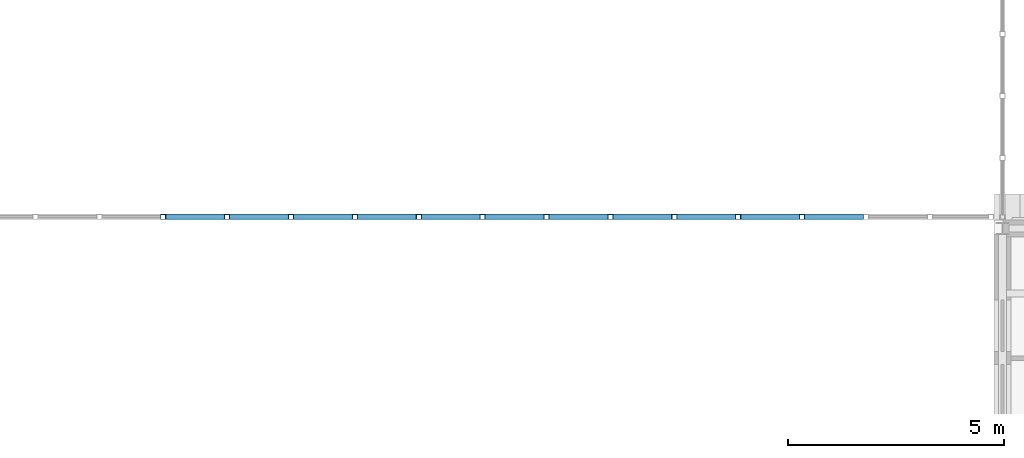
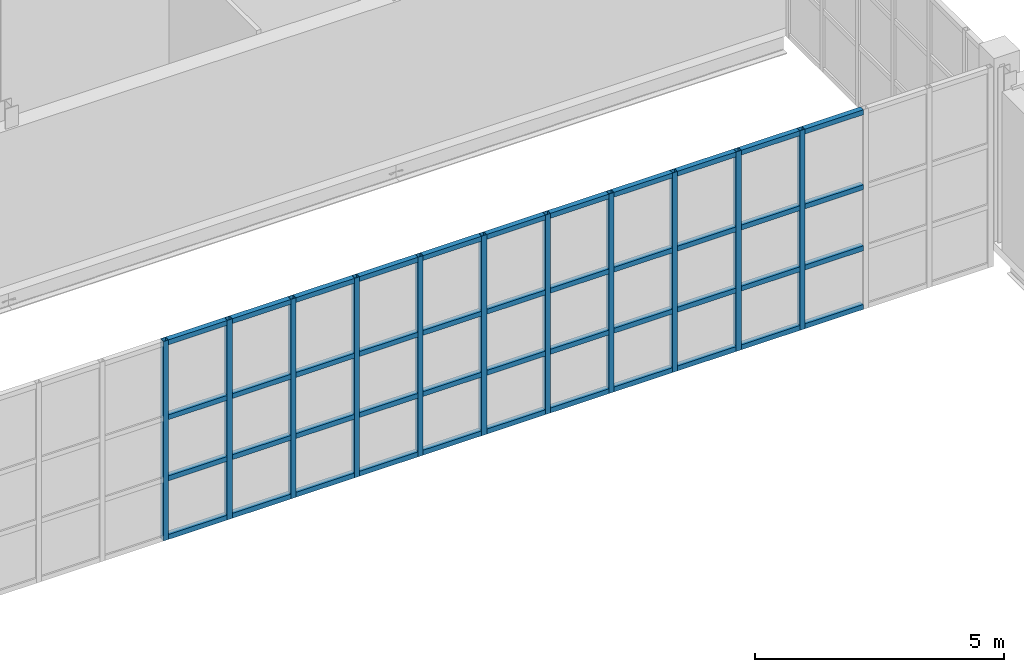
# One storey, part 44 of 134: 55 members, 1 element without a shape of its own.
"""IFC4 building model written with IfcOpenShell, lengths in metres."""

from ifc_helpers import new_model, si_unit, direction, frame, origin, origin_2d, place, context, subcontext, project, spatial, hollow_rectangle, extrude, material, material_profile, profile_set, type_object, element, aggregate, save


model = new_model("IFC4")

# Units and contexts
model_context = context("Model", 3, precision=1e-05, world=origin(), true_north=direction((0.0, 1.0)))
body_context = subcontext(model_context, "Body", "Model", "MODEL_VIEW")
ifc_project = project(units=[si_unit("LENGTHUNIT", "METRE"), si_unit("AREAUNIT", "SQUARE_METRE"), si_unit("VOLUMEUNIT", "CUBIC_METRE"), si_unit("PLANEANGLEUNIT", "RADIAN"), si_unit("MASSUNIT", "GRAM", prefix="KILO")], contexts=[model_context])

# Site, building, storey
site_placement = place(None, origin())
site = spatial("IfcSite", under=ifc_project, at=site_placement, CompositionType="ELEMENT")
building_placement = place(site_placement, origin())
building = spatial("IfcBuilding", under=site, at=building_placement, Name="Golden Quay Civic Hall", CompositionType="ELEMENT")
storey_placement = place(building_placement, frame((0.0, 0.0, 5.39990234375)))
storey = spatial("IfcBuildingStorey", under=building, at=storey_placement, Name="L01", CompositionType="ELEMENT", Elevation=5.39990234375)

# Curtain wall, members
ifc_material_1 = material(Name="Fire-resisting glass and steel", Category="steel")
curtain_wall_type = type_object("IfcCurtainWallType", Name="Fire-resisting glazed curtain wall EI 120", PredefinedType="NOTDEFINED", material=ifc_material_1)
curtain_wall_placement = place(storey_placement, origin())
curtain_wall = element("IfcCurtainWall", 1, at=curtain_wall_placement, inside=storey, type_object=curtain_wall_type, Name="CW3 curtain wall", PredefinedType="NOTDEFINED")
ifc_material_2 = material(Name="Steel S355", Category="steel")
ifc_material_profile_1 = material_profile(ifc_material_2, hollow_rectangle(XDim=0.1201171875, YDim=0.1201171875, WallThickness=0.008056640625, at=origin_2d()), Name="SHS 120x120x8")
ifc_profile_set_1 = profile_set([ifc_material_profile_1], Name="Steel S355")
member_type_1 = type_object("IfcMemberType", Name="Fire-resisting steel mullion SHS 120x120x8", PredefinedType="MULLION", material=ifc_profile_set_1)
member_1_placement = place(storey_placement, frame((79.5888671875, 54.27001953125, -0.599853515625), z_axis=(0.0, 0.0, 1.0), x_axis=(0.0, 1.0, 0.0)))
member_1 = element("IfcMember", 2, at=member_1_placement, type_object=member_type_1, Name="CW3 mullion 6", PredefinedType="MULLION", context=body_context, shape_type="SweptSolid", body=[
    extrude(hollow_rectangle(XDim=0.1201171875, YDim=0.1201171875, WallThickness=0.008056640625, at=origin_2d()), origin(), (0.0, 0.0, 1.0), 4.89990234375),
])
member_2_placement = place(storey_placement, frame((81.066650390625, 54.27001953125, -0.599853515625), z_axis=(0.0, 0.0, 1.0), x_axis=(0.0, 1.0, 0.0)))
member_2 = element("IfcMember", 3, at=member_2_placement, type_object=member_type_1, Name="CW3 mullion 7", PredefinedType="MULLION", context=body_context, shape_type="SweptSolid", body=[
    extrude(hollow_rectangle(XDim=0.1201171875, YDim=0.1201171875, WallThickness=0.008056640625, at=origin_2d()), origin(), (0.0, 0.0, 1.0), 4.89990234375),
])
member_3_placement = place(storey_placement, frame((82.54443359375, 54.27001953125, -0.599853515625), z_axis=(0.0, 0.0, 1.0), x_axis=(0.0, 1.0, 0.0)))
member_3 = element("IfcMember", 4, at=member_3_placement, type_object=member_type_1, Name="CW3 mullion 8", PredefinedType="MULLION", context=body_context, shape_type="SweptSolid", body=[
    extrude(hollow_rectangle(XDim=0.1201171875, YDim=0.1201171875, WallThickness=0.008056640625, at=origin_2d()), origin(), (0.0, 0.0, 1.0), 4.89990234375),
])
member_4_placement = place(storey_placement, frame((84.022216796875, 54.27001953125, -0.599853515625), z_axis=(0.0, 0.0, 1.0), x_axis=(0.0, 1.0, 0.0)))
member_4 = element("IfcMember", 5, at=member_4_placement, type_object=member_type_1, Name="CW3 mullion 9", PredefinedType="MULLION", context=body_context, shape_type="SweptSolid", body=[
    extrude(hollow_rectangle(XDim=0.1201171875, YDim=0.1201171875, WallThickness=0.008056640625, at=origin_2d()), origin(), (0.0, 0.0, 1.0), 4.89990234375),
])
member_5_placement = place(storey_placement, frame((85.5, 54.27001953125, -0.599853515625), z_axis=(0.0, 0.0, 1.0), x_axis=(0.0, 1.0, 0.0)))
member_5 = element("IfcMember", 6, at=member_5_placement, type_object=member_type_1, Name="CW3 mullion 10", PredefinedType="MULLION", context=body_context, shape_type="SweptSolid", body=[
    extrude(hollow_rectangle(XDim=0.1201171875, YDim=0.1201171875, WallThickness=0.008056640625, at=origin_2d()), origin(), (0.0, 0.0, 1.0), 4.89990234375),
])
member_6_placement = place(storey_placement, frame((86.977783203125, 54.27001953125, -0.599853515625), z_axis=(0.0, 0.0, 1.0), x_axis=(0.0, 1.0, 0.0)))
member_6 = element("IfcMember", 7, at=member_6_placement, type_object=member_type_1, Name="CW3 mullion 11", PredefinedType="MULLION", context=body_context, shape_type="SweptSolid", body=[
    extrude(hollow_rectangle(XDim=0.1201171875, YDim=0.1201171875, WallThickness=0.008056640625, at=origin_2d()), origin(), (0.0, 0.0, 1.0), 4.89990234375),
])
member_7_placement = place(storey_placement, frame((88.45556640625, 54.27001953125, -0.599853515625), z_axis=(0.0, 0.0, 1.0), x_axis=(0.0, 1.0, 0.0)))
member_7 = element("IfcMember", 8, at=member_7_placement, type_object=member_type_1, Name="CW3 mullion 12", PredefinedType="MULLION", context=body_context, shape_type="SweptSolid", body=[
    extrude(hollow_rectangle(XDim=0.1201171875, YDim=0.1201171875, WallThickness=0.008056640625, at=origin_2d()), origin(), (0.0, 0.0, 1.0), 4.89990234375),
])
member_8_placement = place(storey_placement, frame((89.933349609375, 54.27001953125, -0.599853515625), z_axis=(0.0, 0.0, 1.0), x_axis=(0.0, 1.0, 0.0)))
member_8 = element("IfcMember", 9, at=member_8_placement, type_object=member_type_1, Name="CW3 mullion 13", PredefinedType="MULLION", context=body_context, shape_type="SweptSolid", body=[
    extrude(hollow_rectangle(XDim=0.1201171875, YDim=0.1201171875, WallThickness=0.008056640625, at=origin_2d()), origin(), (0.0, 0.0, 1.0), 4.89990234375),
])
member_9_placement = place(storey_placement, frame((91.4111328125, 54.27001953125, -0.599853515625), z_axis=(0.0, 0.0, 1.0), x_axis=(0.0, 1.0, 0.0)))
member_9 = element("IfcMember", 10, at=member_9_placement, type_object=member_type_1, Name="CW3 mullion 14", PredefinedType="MULLION", context=body_context, shape_type="SweptSolid", body=[
    extrude(hollow_rectangle(XDim=0.1201171875, YDim=0.1201171875, WallThickness=0.008056640625, at=origin_2d()), origin(), (0.0, 0.0, 1.0), 4.89990234375),
])
member_10_placement = place(storey_placement, frame((92.888916015625, 54.27001953125, -0.599853515625), z_axis=(0.0, 0.0, 1.0), x_axis=(0.0, 1.0, 0.0)))
member_10 = element("IfcMember", 11, at=member_10_placement, type_object=member_type_1, Name="CW3 mullion 15", PredefinedType="MULLION", context=body_context, shape_type="SweptSolid", body=[
    extrude(hollow_rectangle(XDim=0.1201171875, YDim=0.1201171875, WallThickness=0.008056640625, at=origin_2d()), origin(), (0.0, 0.0, 1.0), 4.89990234375),
])
member_11_placement = place(storey_placement, frame((94.36669921875, 54.27001953125, -0.599853515625), z_axis=(0.0, 0.0, 1.0), x_axis=(0.0, 1.0, 0.0)))
member_11 = element("IfcMember", 12, at=member_11_placement, type_object=member_type_1, Name="CW3 mullion 16", PredefinedType="MULLION", context=body_context, shape_type="SweptSolid", body=[
    extrude(hollow_rectangle(XDim=0.1201171875, YDim=0.1201171875, WallThickness=0.008056640625, at=origin_2d()), origin(), (0.0, 0.0, 1.0), 4.89990234375),
])
ifc_material_3 = material(Name="Steel S355", Category="steel")
ifc_material_profile_2 = material_profile(ifc_material_3, hollow_rectangle(XDim=0.1201171875, YDim=0.1201171875, WallThickness=0.008056640625, at=origin_2d()), Name="SHS 120x120x8")
ifc_profile_set_2 = profile_set([ifc_material_profile_2], Name="Steel S355")
member_type_2 = type_object("IfcMemberType", Name="Fire-resisting steel transom SHS 120x120x8", PredefinedType="USERDEFINED", material=ifc_profile_set_2)
member_12_placement = place(storey_placement, frame((79.64892578125, 54.27001953125, -0.539794921875), z_axis=(1.0, 0.0, 0.0), x_axis=(0.0, 1.0, 0.0)))
member_12 = element("IfcMember", 13, at=member_12_placement, type_object=member_type_2, Name="CW3 transom 6.1", ObjectType="TRANSOM", PredefinedType="USERDEFINED", context=body_context, shape_type="SweptSolid", body=[
    extrude(hollow_rectangle(XDim=0.1201171875, YDim=0.1201171875, WallThickness=0.008056640625, at=origin_2d()), origin(), (0.0, 0.0, 1.0), 1.357666015625),
])
member_13_placement = place(storey_placement, frame((79.64892578125, 54.27001953125, 0.900146484375), z_axis=(1.0, 0.0, 0.0), x_axis=(0.0, 1.0, 0.0)))
member_13 = element("IfcMember", 14, at=member_13_placement, type_object=member_type_2, Name="CW3 transom 6.2", ObjectType="TRANSOM", PredefinedType="USERDEFINED", context=body_context, shape_type="SweptSolid", body=[
    extrude(hollow_rectangle(XDim=0.1201171875, YDim=0.1201171875, WallThickness=0.008056640625, at=origin_2d()), origin(), (0.0, 0.0, 1.0), 1.357666015625),
])
member_14_placement = place(storey_placement, frame((79.64892578125, 54.27001953125, 2.400146484375), z_axis=(1.0, 0.0, 0.0), x_axis=(0.0, 1.0, 0.0)))
member_14 = element("IfcMember", 15, at=member_14_placement, type_object=member_type_2, Name="CW3 transom 6.3", ObjectType="TRANSOM", PredefinedType="USERDEFINED", context=body_context, shape_type="SweptSolid", body=[
    extrude(hollow_rectangle(XDim=0.1201171875, YDim=0.1201171875, WallThickness=0.008056640625, at=origin_2d()), origin(), (0.0, 0.0, 1.0), 1.357666015625),
])
member_15_placement = place(storey_placement, frame((79.64892578125, 54.27001953125, 4.239990234375), z_axis=(1.0, 0.0, 0.0), x_axis=(0.0, 1.0, 0.0)))
member_15 = element("IfcMember", 16, at=member_15_placement, type_object=member_type_2, Name="CW3 transom 6.4", ObjectType="TRANSOM", PredefinedType="USERDEFINED", context=body_context, shape_type="SweptSolid", body=[
    extrude(hollow_rectangle(XDim=0.1201171875, YDim=0.1201171875, WallThickness=0.008056640625, at=origin_2d()), origin(), (0.0, 0.0, 1.0), 1.357666015625),
])
member_16_placement = place(storey_placement, frame((81.126708984375, 54.27001953125, -0.539794921875), z_axis=(1.0, 0.0, 0.0), x_axis=(0.0, 1.0, 0.0)))
member_16 = element("IfcMember", 17, at=member_16_placement, type_object=member_type_2, Name="CW3 transom 7.1", ObjectType="TRANSOM", PredefinedType="USERDEFINED", context=body_context, shape_type="SweptSolid", body=[
    extrude(hollow_rectangle(XDim=0.1201171875, YDim=0.1201171875, WallThickness=0.008056640625, at=origin_2d()), origin(), (0.0, 0.0, 1.0), 1.357666015625),
])
member_17_placement = place(storey_placement, frame((81.126708984375, 54.27001953125, 0.900146484375), z_axis=(1.0, 0.0, 0.0), x_axis=(0.0, 1.0, 0.0)))
member_17 = element("IfcMember", 18, at=member_17_placement, type_object=member_type_2, Name="CW3 transom 7.2", ObjectType="TRANSOM", PredefinedType="USERDEFINED", context=body_context, shape_type="SweptSolid", body=[
    extrude(hollow_rectangle(XDim=0.1201171875, YDim=0.1201171875, WallThickness=0.008056640625, at=origin_2d()), origin(), (0.0, 0.0, 1.0), 1.357666015625),
])
member_18_placement = place(storey_placement, frame((81.126708984375, 54.27001953125, 2.400146484375), z_axis=(1.0, 0.0, 0.0), x_axis=(0.0, 1.0, 0.0)))
member_18 = element("IfcMember", 19, at=member_18_placement, type_object=member_type_2, Name="CW3 transom 7.3", ObjectType="TRANSOM", PredefinedType="USERDEFINED", context=body_context, shape_type="SweptSolid", body=[
    extrude(hollow_rectangle(XDim=0.1201171875, YDim=0.1201171875, WallThickness=0.008056640625, at=origin_2d()), origin(), (0.0, 0.0, 1.0), 1.357666015625),
])
member_19_placement = place(storey_placement, frame((81.126708984375, 54.27001953125, 4.239990234375), z_axis=(1.0, 0.0, 0.0), x_axis=(0.0, 1.0, 0.0)))
member_19 = element("IfcMember", 20, at=member_19_placement, type_object=member_type_2, Name="CW3 transom 7.4", ObjectType="TRANSOM", PredefinedType="USERDEFINED", context=body_context, shape_type="SweptSolid", body=[
    extrude(hollow_rectangle(XDim=0.1201171875, YDim=0.1201171875, WallThickness=0.008056640625, at=origin_2d()), origin(), (0.0, 0.0, 1.0), 1.357666015625),
])
member_20_placement = place(storey_placement, frame((82.6044921875, 54.27001953125, -0.539794921875), z_axis=(1.0, 0.0, 0.0), x_axis=(0.0, 1.0, 0.0)))
member_20 = element("IfcMember", 21, at=member_20_placement, type_object=member_type_2, Name="CW3 transom 8.1", ObjectType="TRANSOM", PredefinedType="USERDEFINED", context=body_context, shape_type="SweptSolid", body=[
    extrude(hollow_rectangle(XDim=0.1201171875, YDim=0.1201171875, WallThickness=0.008056640625, at=origin_2d()), origin(), (0.0, 0.0, 1.0), 1.357666015625),
])
member_21_placement = place(storey_placement, frame((82.6044921875, 54.27001953125, 0.900146484375), z_axis=(1.0, 0.0, 0.0), x_axis=(0.0, 1.0, 0.0)))
member_21 = element("IfcMember", 22, at=member_21_placement, type_object=member_type_2, Name="CW3 transom 8.2", ObjectType="TRANSOM", PredefinedType="USERDEFINED", context=body_context, shape_type="SweptSolid", body=[
    extrude(hollow_rectangle(XDim=0.1201171875, YDim=0.1201171875, WallThickness=0.008056640625, at=origin_2d()), origin(), (0.0, 0.0, 1.0), 1.357666015625),
])
member_22_placement = place(storey_placement, frame((82.6044921875, 54.27001953125, 2.400146484375), z_axis=(1.0, 0.0, 0.0), x_axis=(0.0, 1.0, 0.0)))
member_22 = element("IfcMember", 23, at=member_22_placement, type_object=member_type_2, Name="CW3 transom 8.3", ObjectType="TRANSOM", PredefinedType="USERDEFINED", context=body_context, shape_type="SweptSolid", body=[
    extrude(hollow_rectangle(XDim=0.1201171875, YDim=0.1201171875, WallThickness=0.008056640625, at=origin_2d()), origin(), (0.0, 0.0, 1.0), 1.357666015625),
])
member_23_placement = place(storey_placement, frame((82.6044921875, 54.27001953125, 4.239990234375), z_axis=(1.0, 0.0, 0.0), x_axis=(0.0, 1.0, 0.0)))
member_23 = element("IfcMember", 24, at=member_23_placement, type_object=member_type_2, Name="CW3 transom 8.4", ObjectType="TRANSOM", PredefinedType="USERDEFINED", context=body_context, shape_type="SweptSolid", body=[
    extrude(hollow_rectangle(XDim=0.1201171875, YDim=0.1201171875, WallThickness=0.008056640625, at=origin_2d()), origin(), (0.0, 0.0, 1.0), 1.357666015625),
])
member_24_placement = place(storey_placement, frame((84.082275390625, 54.27001953125, -0.539794921875), z_axis=(1.0, 0.0, 0.0), x_axis=(0.0, 1.0, 0.0)))
member_24 = element("IfcMember", 25, at=member_24_placement, type_object=member_type_2, Name="CW3 transom 9.1", ObjectType="TRANSOM", PredefinedType="USERDEFINED", context=body_context, shape_type="SweptSolid", body=[
    extrude(hollow_rectangle(XDim=0.1201171875, YDim=0.1201171875, WallThickness=0.008056640625, at=origin_2d()), origin(), (0.0, 0.0, 1.0), 1.357666015625),
])
member_25_placement = place(storey_placement, frame((84.082275390625, 54.27001953125, 0.900146484375), z_axis=(1.0, 0.0, 0.0), x_axis=(0.0, 1.0, 0.0)))
member_25 = element("IfcMember", 26, at=member_25_placement, type_object=member_type_2, Name="CW3 transom 9.2", ObjectType="TRANSOM", PredefinedType="USERDEFINED", context=body_context, shape_type="SweptSolid", body=[
    extrude(hollow_rectangle(XDim=0.1201171875, YDim=0.1201171875, WallThickness=0.008056640625, at=origin_2d()), origin(), (0.0, 0.0, 1.0), 1.357666015625),
])
member_26_placement = place(storey_placement, frame((84.082275390625, 54.27001953125, 2.400146484375), z_axis=(1.0, 0.0, 0.0), x_axis=(0.0, 1.0, 0.0)))
member_26 = element("IfcMember", 27, at=member_26_placement, type_object=member_type_2, Name="CW3 transom 9.3", ObjectType="TRANSOM", PredefinedType="USERDEFINED", context=body_context, shape_type="SweptSolid", body=[
    extrude(hollow_rectangle(XDim=0.1201171875, YDim=0.1201171875, WallThickness=0.008056640625, at=origin_2d()), origin(), (0.0, 0.0, 1.0), 1.357666015625),
])
member_27_placement = place(storey_placement, frame((84.082275390625, 54.27001953125, 4.239990234375), z_axis=(1.0, 0.0, 0.0), x_axis=(0.0, 1.0, 0.0)))
member_27 = element("IfcMember", 28, at=member_27_placement, type_object=member_type_2, Name="CW3 transom 9.4", ObjectType="TRANSOM", PredefinedType="USERDEFINED", context=body_context, shape_type="SweptSolid", body=[
    extrude(hollow_rectangle(XDim=0.1201171875, YDim=0.1201171875, WallThickness=0.008056640625, at=origin_2d()), origin(), (0.0, 0.0, 1.0), 1.357666015625),
])
member_28_placement = place(storey_placement, frame((85.56005859375, 54.27001953125, -0.539794921875), z_axis=(1.0, 0.0, 0.0), x_axis=(0.0, 1.0, 0.0)))
member_28 = element("IfcMember", 29, at=member_28_placement, type_object=member_type_2, Name="CW3 transom 10.1", ObjectType="TRANSOM", PredefinedType="USERDEFINED", context=body_context, shape_type="SweptSolid", body=[
    extrude(hollow_rectangle(XDim=0.1201171875, YDim=0.1201171875, WallThickness=0.008056640625, at=origin_2d()), origin(), (0.0, 0.0, 1.0), 1.357666015625),
])
member_29_placement = place(storey_placement, frame((85.56005859375, 54.27001953125, 0.900146484375), z_axis=(1.0, 0.0, 0.0), x_axis=(0.0, 1.0, 0.0)))
member_29 = element("IfcMember", 30, at=member_29_placement, type_object=member_type_2, Name="CW3 transom 10.2", ObjectType="TRANSOM", PredefinedType="USERDEFINED", context=body_context, shape_type="SweptSolid", body=[
    extrude(hollow_rectangle(XDim=0.1201171875, YDim=0.1201171875, WallThickness=0.008056640625, at=origin_2d()), origin(), (0.0, 0.0, 1.0), 1.357666015625),
])
member_30_placement = place(storey_placement, frame((85.56005859375, 54.27001953125, 2.400146484375), z_axis=(1.0, 0.0, 0.0), x_axis=(0.0, 1.0, 0.0)))
member_30 = element("IfcMember", 31, at=member_30_placement, type_object=member_type_2, Name="CW3 transom 10.3", ObjectType="TRANSOM", PredefinedType="USERDEFINED", context=body_context, shape_type="SweptSolid", body=[
    extrude(hollow_rectangle(XDim=0.1201171875, YDim=0.1201171875, WallThickness=0.008056640625, at=origin_2d()), origin(), (0.0, 0.0, 1.0), 1.357666015625),
])
member_31_placement = place(storey_placement, frame((85.56005859375, 54.27001953125, 4.239990234375), z_axis=(1.0, 0.0, 0.0), x_axis=(0.0, 1.0, 0.0)))
member_31 = element("IfcMember", 32, at=member_31_placement, type_object=member_type_2, Name="CW3 transom 10.4", ObjectType="TRANSOM", PredefinedType="USERDEFINED", context=body_context, shape_type="SweptSolid", body=[
    extrude(hollow_rectangle(XDim=0.1201171875, YDim=0.1201171875, WallThickness=0.008056640625, at=origin_2d()), origin(), (0.0, 0.0, 1.0), 1.357666015625),
])
member_32_placement = place(storey_placement, frame((87.037841796875, 54.27001953125, -0.539794921875), z_axis=(1.0, 0.0, 0.0), x_axis=(0.0, 1.0, 0.0)))
member_32 = element("IfcMember", 33, at=member_32_placement, type_object=member_type_2, Name="CW3 transom 11.1", ObjectType="TRANSOM", PredefinedType="USERDEFINED", context=body_context, shape_type="SweptSolid", body=[
    extrude(hollow_rectangle(XDim=0.1201171875, YDim=0.1201171875, WallThickness=0.008056640625, at=origin_2d()), origin(), (0.0, 0.0, 1.0), 1.357666015625),
])
member_33_placement = place(storey_placement, frame((87.037841796875, 54.27001953125, 0.900146484375), z_axis=(1.0, 0.0, 0.0), x_axis=(0.0, 1.0, 0.0)))
member_33 = element("IfcMember", 34, at=member_33_placement, type_object=member_type_2, Name="CW3 transom 11.2", ObjectType="TRANSOM", PredefinedType="USERDEFINED", context=body_context, shape_type="SweptSolid", body=[
    extrude(hollow_rectangle(XDim=0.1201171875, YDim=0.1201171875, WallThickness=0.008056640625, at=origin_2d()), origin(), (0.0, 0.0, 1.0), 1.357666015625),
])
member_34_placement = place(storey_placement, frame((87.037841796875, 54.27001953125, 2.400146484375), z_axis=(1.0, 0.0, 0.0), x_axis=(0.0, 1.0, 0.0)))
member_34 = element("IfcMember", 35, at=member_34_placement, type_object=member_type_2, Name="CW3 transom 11.3", ObjectType="TRANSOM", PredefinedType="USERDEFINED", context=body_context, shape_type="SweptSolid", body=[
    extrude(hollow_rectangle(XDim=0.1201171875, YDim=0.1201171875, WallThickness=0.008056640625, at=origin_2d()), origin(), (0.0, 0.0, 1.0), 1.357666015625),
])
member_35_placement = place(storey_placement, frame((87.037841796875, 54.27001953125, 4.239990234375), z_axis=(1.0, 0.0, 0.0), x_axis=(0.0, 1.0, 0.0)))
member_35 = element("IfcMember", 36, at=member_35_placement, type_object=member_type_2, Name="CW3 transom 11.4", ObjectType="TRANSOM", PredefinedType="USERDEFINED", context=body_context, shape_type="SweptSolid", body=[
    extrude(hollow_rectangle(XDim=0.1201171875, YDim=0.1201171875, WallThickness=0.008056640625, at=origin_2d()), origin(), (0.0, 0.0, 1.0), 1.357666015625),
])
member_36_placement = place(storey_placement, frame((88.515625, 54.27001953125, -0.539794921875), z_axis=(1.0, 0.0, 0.0), x_axis=(0.0, 1.0, 0.0)))
member_36 = element("IfcMember", 37, at=member_36_placement, type_object=member_type_2, Name="CW3 transom 12.1", ObjectType="TRANSOM", PredefinedType="USERDEFINED", context=body_context, shape_type="SweptSolid", body=[
    extrude(hollow_rectangle(XDim=0.1201171875, YDim=0.1201171875, WallThickness=0.008056640625, at=origin_2d()), origin(), (0.0, 0.0, 1.0), 1.357666015625),
])
member_37_placement = place(storey_placement, frame((88.515625, 54.27001953125, 0.900146484375), z_axis=(1.0, 0.0, 0.0), x_axis=(0.0, 1.0, 0.0)))
member_37 = element("IfcMember", 38, at=member_37_placement, type_object=member_type_2, Name="CW3 transom 12.2", ObjectType="TRANSOM", PredefinedType="USERDEFINED", context=body_context, shape_type="SweptSolid", body=[
    extrude(hollow_rectangle(XDim=0.1201171875, YDim=0.1201171875, WallThickness=0.008056640625, at=origin_2d()), origin(), (0.0, 0.0, 1.0), 1.357666015625),
])
member_38_placement = place(storey_placement, frame((88.515625, 54.27001953125, 2.400146484375), z_axis=(1.0, 0.0, 0.0), x_axis=(0.0, 1.0, 0.0)))
member_38 = element("IfcMember", 39, at=member_38_placement, type_object=member_type_2, Name="CW3 transom 12.3", ObjectType="TRANSOM", PredefinedType="USERDEFINED", context=body_context, shape_type="SweptSolid", body=[
    extrude(hollow_rectangle(XDim=0.1201171875, YDim=0.1201171875, WallThickness=0.008056640625, at=origin_2d()), origin(), (0.0, 0.0, 1.0), 1.357666015625),
])
member_39_placement = place(storey_placement, frame((88.515625, 54.27001953125, 4.239990234375), z_axis=(1.0, 0.0, 0.0), x_axis=(0.0, 1.0, 0.0)))
member_39 = element("IfcMember", 40, at=member_39_placement, type_object=member_type_2, Name="CW3 transom 12.4", ObjectType="TRANSOM", PredefinedType="USERDEFINED", context=body_context, shape_type="SweptSolid", body=[
    extrude(hollow_rectangle(XDim=0.1201171875, YDim=0.1201171875, WallThickness=0.008056640625, at=origin_2d()), origin(), (0.0, 0.0, 1.0), 1.357666015625),
])
member_40_placement = place(storey_placement, frame((89.993408203125, 54.27001953125, -0.539794921875), z_axis=(1.0, 0.0, 0.0), x_axis=(0.0, 1.0, 0.0)))
member_40 = element("IfcMember", 41, at=member_40_placement, type_object=member_type_2, Name="CW3 transom 13.1", ObjectType="TRANSOM", PredefinedType="USERDEFINED", context=body_context, shape_type="SweptSolid", body=[
    extrude(hollow_rectangle(XDim=0.1201171875, YDim=0.1201171875, WallThickness=0.008056640625, at=origin_2d()), origin(), (0.0, 0.0, 1.0), 1.357666015625),
])
member_41_placement = place(storey_placement, frame((89.993408203125, 54.27001953125, 0.900146484375), z_axis=(1.0, 0.0, 0.0), x_axis=(0.0, 1.0, 0.0)))
member_41 = element("IfcMember", 42, at=member_41_placement, type_object=member_type_2, Name="CW3 transom 13.2", ObjectType="TRANSOM", PredefinedType="USERDEFINED", context=body_context, shape_type="SweptSolid", body=[
    extrude(hollow_rectangle(XDim=0.1201171875, YDim=0.1201171875, WallThickness=0.008056640625, at=origin_2d()), origin(), (0.0, 0.0, 1.0), 1.357666015625),
])
member_42_placement = place(storey_placement, frame((89.993408203125, 54.27001953125, 2.400146484375), z_axis=(1.0, 0.0, 0.0), x_axis=(0.0, 1.0, 0.0)))
member_42 = element("IfcMember", 43, at=member_42_placement, type_object=member_type_2, Name="CW3 transom 13.3", ObjectType="TRANSOM", PredefinedType="USERDEFINED", context=body_context, shape_type="SweptSolid", body=[
    extrude(hollow_rectangle(XDim=0.1201171875, YDim=0.1201171875, WallThickness=0.008056640625, at=origin_2d()), origin(), (0.0, 0.0, 1.0), 1.357666015625),
])
member_43_placement = place(storey_placement, frame((89.993408203125, 54.27001953125, 4.239990234375), z_axis=(1.0, 0.0, 0.0), x_axis=(0.0, 1.0, 0.0)))
member_43 = element("IfcMember", 44, at=member_43_placement, type_object=member_type_2, Name="CW3 transom 13.4", ObjectType="TRANSOM", PredefinedType="USERDEFINED", context=body_context, shape_type="SweptSolid", body=[
    extrude(hollow_rectangle(XDim=0.1201171875, YDim=0.1201171875, WallThickness=0.008056640625, at=origin_2d()), origin(), (0.0, 0.0, 1.0), 1.357666015625),
])
member_44_placement = place(storey_placement, frame((91.47119140625, 54.27001953125, -0.539794921875), z_axis=(1.0, 0.0, 0.0), x_axis=(0.0, 1.0, 0.0)))
member_44 = element("IfcMember", 45, at=member_44_placement, type_object=member_type_2, Name="CW3 transom 14.1", ObjectType="TRANSOM", PredefinedType="USERDEFINED", context=body_context, shape_type="SweptSolid", body=[
    extrude(hollow_rectangle(XDim=0.1201171875, YDim=0.1201171875, WallThickness=0.008056640625, at=origin_2d()), origin(), (0.0, 0.0, 1.0), 1.357666015625),
])
member_45_placement = place(storey_placement, frame((91.47119140625, 54.27001953125, 0.900146484375), z_axis=(1.0, 0.0, 0.0), x_axis=(0.0, 1.0, 0.0)))
member_45 = element("IfcMember", 46, at=member_45_placement, type_object=member_type_2, Name="CW3 transom 14.2", ObjectType="TRANSOM", PredefinedType="USERDEFINED", context=body_context, shape_type="SweptSolid", body=[
    extrude(hollow_rectangle(XDim=0.1201171875, YDim=0.1201171875, WallThickness=0.008056640625, at=origin_2d()), origin(), (0.0, 0.0, 1.0), 1.357666015625),
])
member_46_placement = place(storey_placement, frame((91.47119140625, 54.27001953125, 2.400146484375), z_axis=(1.0, 0.0, 0.0), x_axis=(0.0, 1.0, 0.0)))
member_46 = element("IfcMember", 47, at=member_46_placement, type_object=member_type_2, Name="CW3 transom 14.3", ObjectType="TRANSOM", PredefinedType="USERDEFINED", context=body_context, shape_type="SweptSolid", body=[
    extrude(hollow_rectangle(XDim=0.1201171875, YDim=0.1201171875, WallThickness=0.008056640625, at=origin_2d()), origin(), (0.0, 0.0, 1.0), 1.357666015625),
])
member_47_placement = place(storey_placement, frame((91.47119140625, 54.27001953125, 4.239990234375), z_axis=(1.0, 0.0, 0.0), x_axis=(0.0, 1.0, 0.0)))
member_47 = element("IfcMember", 48, at=member_47_placement, type_object=member_type_2, Name="CW3 transom 14.4", ObjectType="TRANSOM", PredefinedType="USERDEFINED", context=body_context, shape_type="SweptSolid", body=[
    extrude(hollow_rectangle(XDim=0.1201171875, YDim=0.1201171875, WallThickness=0.008056640625, at=origin_2d()), origin(), (0.0, 0.0, 1.0), 1.357666015625),
])
member_48_placement = place(storey_placement, frame((92.948974609375, 54.27001953125, -0.539794921875), z_axis=(1.0, 0.0, 0.0), x_axis=(0.0, 1.0, 0.0)))
member_48 = element("IfcMember", 49, at=member_48_placement, type_object=member_type_2, Name="CW3 transom 15.1", ObjectType="TRANSOM", PredefinedType="USERDEFINED", context=body_context, shape_type="SweptSolid", body=[
    extrude(hollow_rectangle(XDim=0.1201171875, YDim=0.1201171875, WallThickness=0.008056640625, at=origin_2d()), origin(), (0.0, 0.0, 1.0), 1.357666015625),
])
member_49_placement = place(storey_placement, frame((92.948974609375, 54.27001953125, 0.900146484375), z_axis=(1.0, 0.0, 0.0), x_axis=(0.0, 1.0, 0.0)))
member_49 = element("IfcMember", 50, at=member_49_placement, type_object=member_type_2, Name="CW3 transom 15.2", ObjectType="TRANSOM", PredefinedType="USERDEFINED", context=body_context, shape_type="SweptSolid", body=[
    extrude(hollow_rectangle(XDim=0.1201171875, YDim=0.1201171875, WallThickness=0.008056640625, at=origin_2d()), origin(), (0.0, 0.0, 1.0), 1.357666015625),
])
member_50_placement = place(storey_placement, frame((92.948974609375, 54.27001953125, 2.400146484375), z_axis=(1.0, 0.0, 0.0), x_axis=(0.0, 1.0, 0.0)))
member_50 = element("IfcMember", 51, at=member_50_placement, type_object=member_type_2, Name="CW3 transom 15.3", ObjectType="TRANSOM", PredefinedType="USERDEFINED", context=body_context, shape_type="SweptSolid", body=[
    extrude(hollow_rectangle(XDim=0.1201171875, YDim=0.1201171875, WallThickness=0.008056640625, at=origin_2d()), origin(), (0.0, 0.0, 1.0), 1.357666015625),
])
member_51_placement = place(storey_placement, frame((92.948974609375, 54.27001953125, 4.239990234375), z_axis=(1.0, 0.0, 0.0), x_axis=(0.0, 1.0, 0.0)))
member_51 = element("IfcMember", 52, at=member_51_placement, type_object=member_type_2, Name="CW3 transom 15.4", ObjectType="TRANSOM", PredefinedType="USERDEFINED", context=body_context, shape_type="SweptSolid", body=[
    extrude(hollow_rectangle(XDim=0.1201171875, YDim=0.1201171875, WallThickness=0.008056640625, at=origin_2d()), origin(), (0.0, 0.0, 1.0), 1.357666015625),
])
member_52_placement = place(storey_placement, frame((94.4267578125, 54.27001953125, -0.539794921875), z_axis=(1.0, 0.0, 0.0), x_axis=(0.0, 1.0, 0.0)))
member_52 = element("IfcMember", 53, at=member_52_placement, type_object=member_type_2, Name="CW3 transom 16.1", ObjectType="TRANSOM", PredefinedType="USERDEFINED", context=body_context, shape_type="SweptSolid", body=[
    extrude(hollow_rectangle(XDim=0.1201171875, YDim=0.1201171875, WallThickness=0.008056640625, at=origin_2d()), origin(), (0.0, 0.0, 1.0), 1.357666015625),
])
member_53_placement = place(storey_placement, frame((94.4267578125, 54.27001953125, 0.900146484375), z_axis=(1.0, 0.0, 0.0), x_axis=(0.0, 1.0, 0.0)))
member_53 = element("IfcMember", 54, at=member_53_placement, type_object=member_type_2, Name="CW3 transom 16.2", ObjectType="TRANSOM", PredefinedType="USERDEFINED", context=body_context, shape_type="SweptSolid", body=[
    extrude(hollow_rectangle(XDim=0.1201171875, YDim=0.1201171875, WallThickness=0.008056640625, at=origin_2d()), origin(), (0.0, 0.0, 1.0), 1.357666015625),
])
member_54_placement = place(storey_placement, frame((94.4267578125, 54.27001953125, 2.400146484375), z_axis=(1.0, 0.0, 0.0), x_axis=(0.0, 1.0, 0.0)))
member_54 = element("IfcMember", 55, at=member_54_placement, type_object=member_type_2, Name="CW3 transom 16.3", ObjectType="TRANSOM", PredefinedType="USERDEFINED", context=body_context, shape_type="SweptSolid", body=[
    extrude(hollow_rectangle(XDim=0.1201171875, YDim=0.1201171875, WallThickness=0.008056640625, at=origin_2d()), origin(), (0.0, 0.0, 1.0), 1.357666015625),
])
member_55_placement = place(storey_placement, frame((94.4267578125, 54.27001953125, 4.239990234375), z_axis=(1.0, 0.0, 0.0), x_axis=(0.0, 1.0, 0.0)))
member_55 = element("IfcMember", 56, at=member_55_placement, type_object=member_type_2, Name="CW3 transom 16.4", ObjectType="TRANSOM", PredefinedType="USERDEFINED", context=body_context, shape_type="SweptSolid", body=[
    extrude(hollow_rectangle(XDim=0.1201171875, YDim=0.1201171875, WallThickness=0.008056640625, at=origin_2d()), origin(), (0.0, 0.0, 1.0), 1.357666015625),
])
aggregate(curtain_wall, [member_1, member_2, member_3, member_4, member_5, member_6, member_7, member_8, member_9, member_10, member_11, member_12, member_13, member_14, member_15, member_16, member_17, member_18, member_19, member_20, member_21, member_22, member_23, member_24, member_25, member_26, member_27, member_28, member_29, member_30, member_31, member_32, member_33, member_34, member_35, member_36, member_37, member_38, member_39, member_40, member_41, member_42, member_43, member_44, member_45, member_46, member_47, member_48, member_49, member_50, member_51, member_52, member_53, member_54, member_55])

save(model, "model.ifc")
